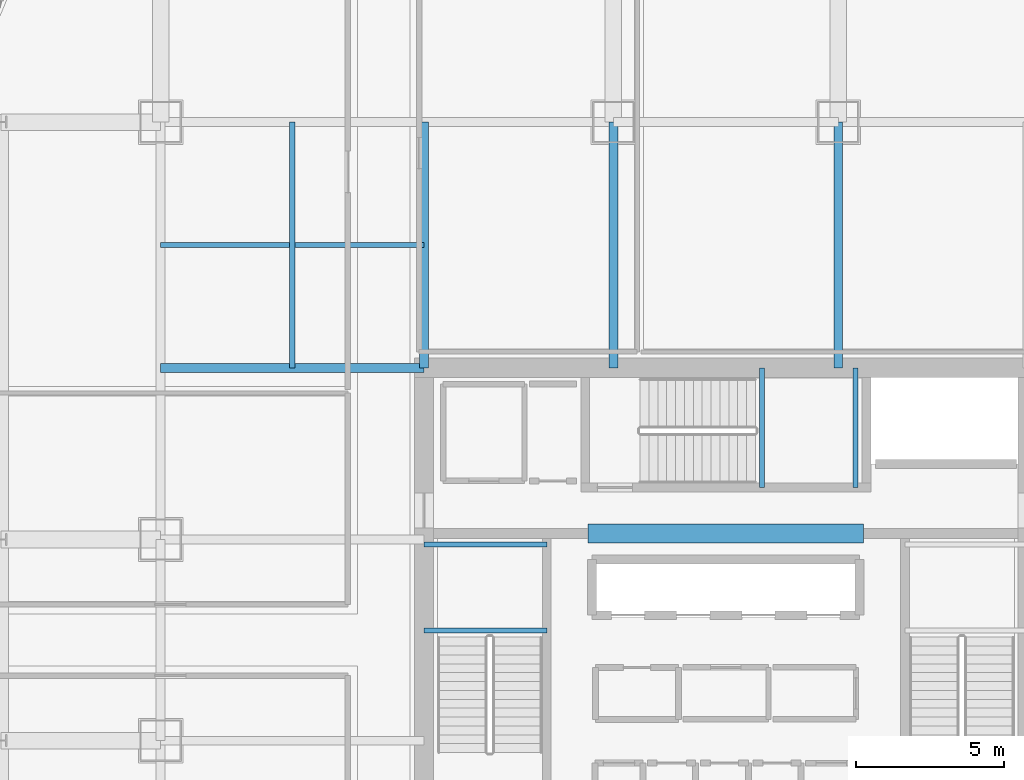
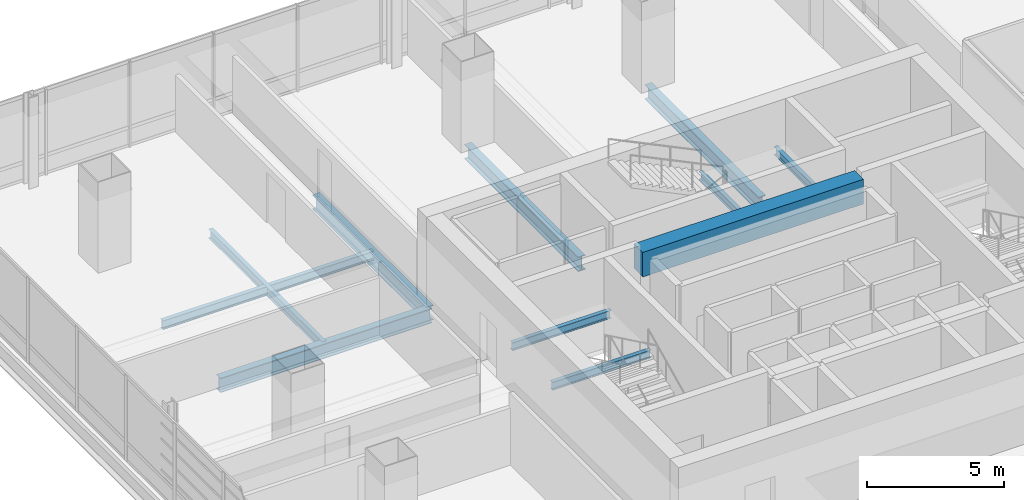
# One storey, part 13 of 38: 11 beams.
"""IFC4 building model written with IfcOpenShell, lengths in metres."""

from ifc_helpers import new_model, si_unit, direction, frame, origin, origin_2d, place, context, subcontext, project, spatial, rectangle, i_section, extrude, material, material_profile, profile_set, type_object, element, save


model = new_model("IFC4")

# Units and contexts
model_context = context("Model", 3, precision=1e-05, world=origin(), true_north=direction((0.0, 1.0)))
body_context = subcontext(model_context, "Body", "Model", "MODEL_VIEW")
ifc_project = project(units=[si_unit("LENGTHUNIT", "METRE"), si_unit("AREAUNIT", "SQUARE_METRE"), si_unit("VOLUMEUNIT", "CUBIC_METRE"), si_unit("PLANEANGLEUNIT", "RADIAN"), si_unit("MASSUNIT", "GRAM", prefix="KILO")], contexts=[model_context])

# Site, building, storey
site_placement = place(None, origin())
site = spatial("IfcSite", under=ifc_project, at=site_placement, CompositionType="ELEMENT")
building_placement = place(site_placement, origin())
building = spatial("IfcBuilding", under=site, at=building_placement, Name="Punatoya Terracotta Tower", CompositionType="ELEMENT")
storey_placement = place(building_placement, frame((0.0, 0.0, 151.949951171875)))
storey = spatial("IfcBuildingStorey", under=building, at=storey_placement, Name="L35", CompositionType="ELEMENT", Elevation=151.949951171875)

# Beams
ifc_material_1 = material(Name="Steel S355", Category="steel")
ifc_material_profile_1 = material_profile(ifc_material_1, i_section(OverallWidth=0.300048828125, OverallDepth=0.64990234375, WebThickness=0.01611328125, FlangeThickness=0.031005859375, FilletRadius=0.01806640625, at=origin_2d()))
ifc_profile_set_1 = profile_set([ifc_material_profile_1], Name="Steel S355")
beam_type_1 = type_object("IfcBeamType", Name="BM-PRI-650", PredefinedType="BEAM", material=ifc_profile_set_1)
beam_1_placement = place(storey_placement, frame((-19.10009765625, 9.199951171875, -0.544921875), z_axis=(1.0, 0.0, 0.0), x_axis=(0.0, 1.0, 0.0)))
element("IfcBeam", 1, at=beam_1_placement, inside=storey, type_object=beam_type_1, Name="BM-L35-PR-WN", PredefinedType="BEAM", context=body_context, shape_type="SweptSolid", body=[
    extrude(i_section(OverallWidth=0.300048828125, OverallDepth=0.64990234375, WebThickness=0.01611328125, FlangeThickness=0.031005859375, FilletRadius=0.01806640625, at=origin_2d()), origin(), (0.0, 0.0, 1.0), 8.900146484375),
])
for number, where, z_axis, x_axis, name in (
    (2, (-10.199951171875, 9.199951171875, -0.544921875), (0.0, 1.0, 0.0), (-1.0, 0.0, 0.0), "BM-L35-PR-N1"),
    (3, (-3.800048828125, 9.199951171875, -0.544921875), (0.0, 1.0, 0.0), (-1.0, 0.0, 0.0), "BM-L35-PR-N2"),
    (4, (3.800048828125, 9.199951171875, -0.544921875), (0.0, 1.0, 0.0), (-1.0, 0.0, 0.0), "BM-L35-PR-N3"),
):
    element("IfcBeam", number, at=place(storey_placement, frame(where, z_axis=z_axis, x_axis=x_axis)), inside=storey, type_object=beam_type_1, Name=name, PredefinedType="BEAM", context=body_context, shape_type="SweptSolid", body=[
        extrude(i_section(OverallWidth=0.300048828125, OverallDepth=0.64990234375, WebThickness=0.01611328125, FlangeThickness=0.031005859375, FilletRadius=0.01806640625, at=origin_2d()), origin(), (0.0, 0.0, 1.0), 8.300048828125),
    ])
ifc_material_2 = material(Name="Concrete C60/75", Category="concrete")
ifc_material_profile_2 = material_profile(ifc_material_2, rectangle(XDim=0.64990234375, YDim=1.10009765625, at=origin_2d()))
ifc_profile_set_2 = profile_set([ifc_material_profile_2], Name="Concrete C60/75")
beam_type_2 = type_object("IfcBeamType", Name="BM-RC-1100", PredefinedType="LINTEL", material=ifc_profile_set_2)
beam_2_placement = place(storey_placement, frame((-4.64990234375, 3.60009765625, 3.280029296875), z_axis=(1.0, 0.0, 0.0), x_axis=(0.0, 1.0, 0.0)))
element("IfcBeam", 5, at=beam_2_placement, inside=storey, type_object=beam_type_2, Name="L35 Core Coupling Lintel CNW", PredefinedType="LINTEL", context=body_context, shape_type="SweptSolid", body=[
    extrude(rectangle(XDim=0.64990234375, YDim=1.10009765625, at=origin_2d()), origin(), (0.0, 0.0, 1.0), 9.2998046875),
])
ifc_material_profile_3 = material_profile(ifc_material_1, i_section(OverallWidth=0.169921875, OverallDepth=0.360107421875, WebThickness=0.008056640625, FlangeThickness=0.0126953125, FilletRadius=0.01806640625, at=origin_2d()))
ifc_profile_set_3 = profile_set([ifc_material_profile_3], Name="Steel S355")
beam_type_3 = type_object("IfcBeamType", Name="BM-SEC-360", PredefinedType="JOIST", material=ifc_profile_set_3)
for number, where, z_axis, x_axis, name in (
    (6, (-10.199951171875, 0.320068359375, 1.64501953125), (1.0, 0.0, 0.0), (0.0, 1.0, 0.0), "BM-L35-ST-1-LD1A"),
    (7, (-10.199951171875, 3.22998046875, 1.64501953125), (1.0, 0.0, 0.0), (0.0, 1.0, 0.0), "BM-L35-ST-1-LD1B"),
):
    element("IfcBeam", number, at=place(storey_placement, frame(where, z_axis=z_axis, x_axis=x_axis)), inside=storey, type_object=beam_type_3, Name=name, PredefinedType="JOIST", context=body_context, shape_type="SweptSolid", body=[
        extrude(i_section(OverallWidth=0.169921875, OverallDepth=0.360107421875, WebThickness=0.008056640625, FlangeThickness=0.0126953125, FilletRadius=0.01806640625, at=origin_2d()), origin(), (0.0, 0.0, 1.0), 4.14990234375),
    ])
for number, where, z_axis, x_axis, name in (
    (8, (1.219970703125, 5.14990234375, 1.64501953125), (0.0, 1.0, 0.0), (-1.0, 0.0, 0.0), "BM-L35-ST-3-LD1A"),
    (9, (4.3798828125, 5.14990234375, 1.64501953125), (0.0, 1.0, 0.0), (-1.0, 0.0, 0.0), "BM-L35-ST-3-LD1B"),
):
    element("IfcBeam", number, at=place(storey_placement, frame(where, z_axis=z_axis, x_axis=x_axis)), inside=storey, type_object=beam_type_3, Name=name, PredefinedType="JOIST", context=body_context, shape_type="SweptSolid", body=[
        extrude(i_section(OverallWidth=0.169921875, OverallDepth=0.360107421875, WebThickness=0.008056640625, FlangeThickness=0.0126953125, FilletRadius=0.01806640625, at=origin_2d()), origin(), (0.0, 0.0, 1.0), 4.050048828125),
    ])
ifc_material_profile_4 = material_profile(ifc_material_1, i_section(OverallWidth=0.179931640625, OverallDepth=0.39990234375, WebThickness=0.008544921875, FlangeThickness=0.013427734375, FilletRadius=0.01806640625, at=origin_2d()))
ifc_profile_set_4 = profile_set([ifc_material_profile_4], Name="Steel S355")
beam_type_4 = type_object("IfcBeamType", Name="BM-SEC-400", PredefinedType="JOIST", material=ifc_profile_set_4)
beam_3_placement = place(storey_placement, frame((-19.10009765625, 13.35009765625, -0.419921875), z_axis=(1.0, 0.0, 0.0), x_axis=(0.0, 1.0, 0.0)))
element("IfcBeam", 10, at=beam_3_placement, inside=storey, type_object=beam_type_4, Name="BM-L35-SJN-1", PredefinedType="JOIST", context=body_context, shape_type="SweptSolid", body=[
    extrude(i_section(OverallWidth=0.179931640625, OverallDepth=0.39990234375, WebThickness=0.008544921875, FlangeThickness=0.013427734375, FilletRadius=0.01806640625, at=origin_2d()), origin(), (0.0, 0.0, 1.0), 8.900146484375),
])
beam_4_placement = place(storey_placement, frame((-14.64990234375, 9.199951171875, -0.419921875), z_axis=(0.0, 1.0, 0.0), x_axis=(-1.0, 0.0, 0.0)))
element("IfcBeam", 11, at=beam_4_placement, inside=storey, type_object=beam_type_4, Name="BM-L35-SJW-2", PredefinedType="JOIST", context=body_context, shape_type="SweptSolid", body=[
    extrude(i_section(OverallWidth=0.179931640625, OverallDepth=0.39990234375, WebThickness=0.008544921875, FlangeThickness=0.013427734375, FilletRadius=0.01806640625, at=origin_2d()), origin(), (0.0, 0.0, 1.0), 8.300048828125),
])

save(model, "model.ifc")
